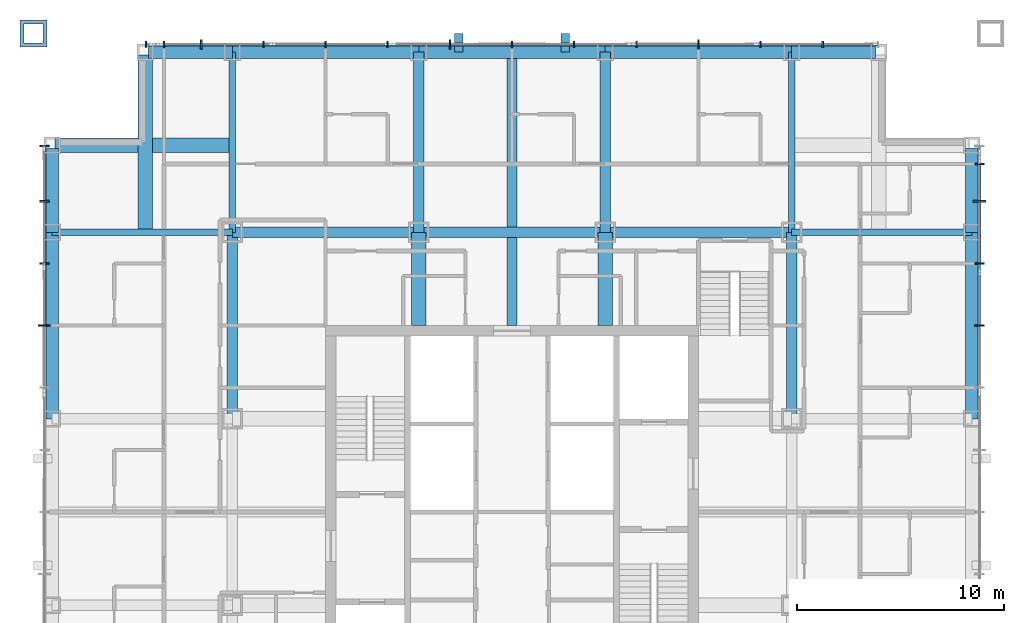
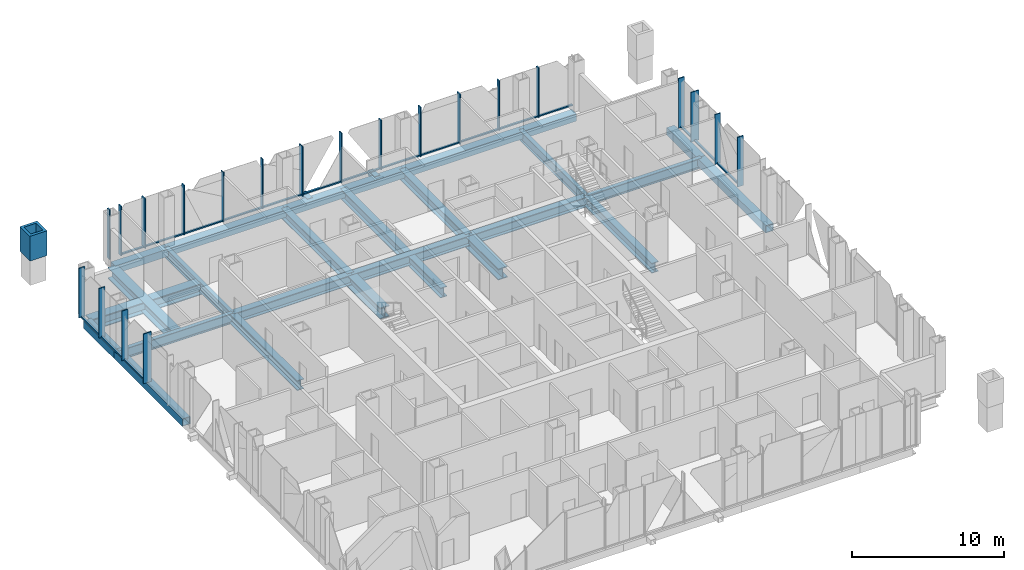
# One storey, part 4 of 25: 42 members, 25 beams, 3 elements without a shape of their own.
"""IFC4 building model written with IfcOpenShell, lengths in metres."""

from ifc_helpers import new_model, si_unit, direction, frame, origin, origin_2d, place, context, subcontext, project, spatial, rectangle, hollow_rectangle, i_section, extrude, material, layer, layer_set, material_profile, profile_set, type_object, element, aggregate, save


model = new_model("IFC4")

# Units and contexts
model_context = context("Model", 3, precision=1e-05, world=origin(), true_north=direction((0.0, 1.0)))
body_context = subcontext(model_context, "Body", "Model", "MODEL_VIEW")
ifc_project = project(units=[si_unit("LENGTHUNIT", "METRE"), si_unit("AREAUNIT", "SQUARE_METRE"), si_unit("VOLUMEUNIT", "CUBIC_METRE"), si_unit("PLANEANGLEUNIT", "RADIAN"), si_unit("MASSUNIT", "GRAM", prefix="KILO")], contexts=[model_context])

# Site, building, storey
site_placement = place(None, origin())
site = spatial("IfcSite", under=ifc_project, at=site_placement, CompositionType="ELEMENT")
building_placement = place(site_placement, origin())
building = spatial("IfcBuilding", under=site, at=building_placement, Name="Malebo Sky Hospital", CompositionType="ELEMENT")
storey_placement = place(building_placement, frame((0.0, 0.0, 241.0)))
storey = spatial("IfcBuildingStorey", under=building, at=storey_placement, Name="L58", CompositionType="ELEMENT", Elevation=241.0)

# Curtain wall, members
ifc_material_1 = material(Name="Anodised aluminium, natural silver", Category="aluminium")
ifc_layer_1 = layer(ifc_material_1, 0.25)
ifc_layer_set_1 = layer_set([ifc_layer_1], Name="WARD CURTAIN WALL NORTH AND SOUTH")
curtain_wall_type_1 = type_object("IfcCurtainWallType", Name="WARD CURTAIN WALL NORTH AND SOUTH", PredefinedType="NOTDEFINED", material=ifc_layer_set_1)
curtain_wall_1_placement = place(storey_placement, origin())
curtain_wall_1 = element("IfcCurtainWall", 1, at=curtain_wall_1_placement, inside=storey, type_object=curtain_wall_type_1, Name="NS curtain wall N", PredefinedType="NOTDEFINED")
ifc_material_profile_1 = material_profile(ifc_material_1, rectangle(XDim=0.14990234375, YDim=0.10009765625, at=origin_2d()), Name="ALUMINIUM TRANSOM 150x100")
ifc_profile_set_1 = profile_set([ifc_material_profile_1], Name="Anodised aluminium, natural silver")
member_type_1 = type_object("IfcMemberType", Name="ALUMINIUM TRANSOM 150x100", PredefinedType="USERDEFINED", material=ifc_profile_set_1)
member_1_placement = place(storey_placement, frame((43.237548828125, 84.574951171875, 0.050048828125), z_axis=(1.0, 0.0, 0.0), x_axis=(0.0, 1.0, 0.0)))
member_1 = element("IfcMember", 2, at=member_1_placement, type_object=member_type_1, Name="Transom 2", ObjectType="TRANSOM", PredefinedType="USERDEFINED", context=body_context, shape_type="SweptSolid", body=[
    extrude(rectangle(XDim=0.14990234375, YDim=0.10009765625, at=origin_2d()), origin(), (0.0, 0.0, 1.0), 1.724853515625),
])
member_2_placement = place(storey_placement, frame((45.03759765625, 84.574951171875, 0.050048828125), z_axis=(1.0, 0.0, 0.0), x_axis=(0.0, 1.0, 0.0)))
member_2 = element("IfcMember", 3, at=member_2_placement, type_object=member_type_1, Name="Transom 3", ObjectType="TRANSOM", PredefinedType="USERDEFINED", context=body_context, shape_type="SweptSolid", body=[
    extrude(rectangle(XDim=0.14990234375, YDim=0.10009765625, at=origin_2d()), origin(), (0.0, 0.0, 1.0), 2.9248046875),
])
member_3_placement = place(storey_placement, frame((48.03759765625, 84.574951171875, 0.050048828125), z_axis=(1.0, 0.0, 0.0), x_axis=(0.0, 1.0, 0.0)))
member_3 = element("IfcMember", 4, at=member_3_placement, type_object=member_type_1, Name="Transom 4", ObjectType="TRANSOM", PredefinedType="USERDEFINED", context=body_context, shape_type="SweptSolid", body=[
    extrude(rectangle(XDim=0.14990234375, YDim=0.10009765625, at=origin_2d()), origin(), (0.0, 0.0, 1.0), 2.9248046875),
])
member_4_placement = place(storey_placement, frame((51.03759765625, 84.574951171875, 0.050048828125), z_axis=(1.0, 0.0, 0.0), x_axis=(0.0, 1.0, 0.0)))
member_4 = element("IfcMember", 5, at=member_4_placement, type_object=member_type_1, Name="Transom 5", ObjectType="TRANSOM", PredefinedType="USERDEFINED", context=body_context, shape_type="SweptSolid", body=[
    extrude(rectangle(XDim=0.14990234375, YDim=0.10009765625, at=origin_2d()), origin(), (0.0, 0.0, 1.0), 2.9248046875),
])
member_5_placement = place(storey_placement, frame((54.03759765625, 84.574951171875, 0.050048828125), z_axis=(1.0, 0.0, 0.0), x_axis=(0.0, 1.0, 0.0)))
member_5 = element("IfcMember", 6, at=member_5_placement, type_object=member_type_1, Name="Transom 6", ObjectType="TRANSOM", PredefinedType="USERDEFINED", context=body_context, shape_type="SweptSolid", body=[
    extrude(rectangle(XDim=0.14990234375, YDim=0.10009765625, at=origin_2d()), origin(), (0.0, 0.0, 1.0), 2.9248046875),
])
member_6_placement = place(storey_placement, frame((57.03759765625, 84.574951171875, 0.050048828125), z_axis=(1.0, 0.0, 0.0), x_axis=(0.0, 1.0, 0.0)))
member_6 = element("IfcMember", 7, at=member_6_placement, type_object=member_type_1, Name="Transom 7", ObjectType="TRANSOM", PredefinedType="USERDEFINED", context=body_context, shape_type="SweptSolid", body=[
    extrude(rectangle(XDim=0.14990234375, YDim=0.10009765625, at=origin_2d()), origin(), (0.0, 0.0, 1.0), 2.9248046875),
])
member_7_placement = place(storey_placement, frame((60.03759765625, 84.574951171875, 0.050048828125), z_axis=(1.0, 0.0, 0.0), x_axis=(0.0, 1.0, 0.0)))
member_7 = element("IfcMember", 8, at=member_7_placement, type_object=member_type_1, Name="Transom 8", ObjectType="TRANSOM", PredefinedType="USERDEFINED", context=body_context, shape_type="SweptSolid", body=[
    extrude(rectangle(XDim=0.14990234375, YDim=0.10009765625, at=origin_2d()), origin(), (0.0, 0.0, 1.0), 2.9248046875),
])
member_8_placement = place(storey_placement, frame((63.03759765625, 84.574951171875, 0.050048828125), z_axis=(1.0, 0.0, 0.0), x_axis=(0.0, 1.0, 0.0)))
member_8 = element("IfcMember", 9, at=member_8_placement, type_object=member_type_1, Name="Transom 9", ObjectType="TRANSOM", PredefinedType="USERDEFINED", context=body_context, shape_type="SweptSolid", body=[
    extrude(rectangle(XDim=0.14990234375, YDim=0.10009765625, at=origin_2d()), origin(), (0.0, 0.0, 1.0), 2.9248046875),
])
member_9_placement = place(storey_placement, frame((66.03759765625, 84.574951171875, 0.050048828125), z_axis=(1.0, 0.0, 0.0), x_axis=(0.0, 1.0, 0.0)))
member_9 = element("IfcMember", 10, at=member_9_placement, type_object=member_type_1, Name="Transom 10", ObjectType="TRANSOM", PredefinedType="USERDEFINED", context=body_context, shape_type="SweptSolid", body=[
    extrude(rectangle(XDim=0.14990234375, YDim=0.10009765625, at=origin_2d()), origin(), (0.0, 0.0, 1.0), 2.9248046875),
])
member_10_placement = place(storey_placement, frame((69.03759765625, 84.574951171875, 0.050048828125), z_axis=(1.0, 0.0, 0.0), x_axis=(0.0, 1.0, 0.0)))
member_10 = element("IfcMember", 11, at=member_10_placement, type_object=member_type_1, Name="Transom 11", ObjectType="TRANSOM", PredefinedType="USERDEFINED", context=body_context, shape_type="SweptSolid", body=[
    extrude(rectangle(XDim=0.14990234375, YDim=0.10009765625, at=origin_2d()), origin(), (0.0, 0.0, 1.0), 2.9248046875),
])
member_11_placement = place(storey_placement, frame((72.03759765625, 84.574951171875, 0.050048828125), z_axis=(1.0, 0.0, 0.0), x_axis=(0.0, 1.0, 0.0)))
member_11 = element("IfcMember", 12, at=member_11_placement, type_object=member_type_1, Name="Transom 12", ObjectType="TRANSOM", PredefinedType="USERDEFINED", context=body_context, shape_type="SweptSolid", body=[
    extrude(rectangle(XDim=0.14990234375, YDim=0.10009765625, at=origin_2d()), origin(), (0.0, 0.0, 1.0), 2.9248046875),
])
member_12_placement = place(storey_placement, frame((75.03759765625, 84.574951171875, 0.050048828125), z_axis=(1.0, 0.0, 0.0), x_axis=(0.0, 1.0, 0.0)))
member_12 = element("IfcMember", 13, at=member_12_placement, type_object=member_type_1, Name="Transom 13", ObjectType="TRANSOM", PredefinedType="USERDEFINED", context=body_context, shape_type="SweptSolid", body=[
    extrude(rectangle(XDim=0.14990234375, YDim=0.10009765625, at=origin_2d()), origin(), (0.0, 0.0, 1.0), 2.58740234375),
])

ifc_layer_2 = layer(ifc_material_1, 0.25)
ifc_layer_set_2 = layer_set([ifc_layer_2], Name="WARD CURTAIN WALL EAST AND WEST")
curtain_wall_type_2 = type_object("IfcCurtainWallType", Name="WARD CURTAIN WALL EAST AND WEST", PredefinedType="NOTDEFINED", material=ifc_layer_set_2)
curtain_wall_2_placement = place(storey_placement, origin())
curtain_wall_2 = element("IfcCurtainWall", 14, at=curtain_wall_2_placement, inside=storey, type_object=curtain_wall_type_2, Name="EW curtain wall W", PredefinedType="NOTDEFINED")
member_13_placement = place(storey_placement, frame((37.425048828125, 71.03759765625, 0.050048828125), z_axis=(0.0, 1.0, 0.0), x_axis=(-1.0, 0.0, 0.0)))
member_13 = element("IfcMember", 15, at=member_13_placement, type_object=member_type_1, Name="Transom 11", ObjectType="TRANSOM", PredefinedType="USERDEFINED", context=body_context, shape_type="SweptSolid", body=[
    extrude(rectangle(XDim=0.14990234375, YDim=0.10009765625, at=origin_2d()), origin(), (0.0, 0.0, 1.0), 2.9248046875),
])
member_14_placement = place(storey_placement, frame((37.425048828125, 74.03759765625, 0.050048828125), z_axis=(0.0, 1.0, 0.0), x_axis=(-1.0, 0.0, 0.0)))
member_14 = element("IfcMember", 16, at=member_14_placement, type_object=member_type_1, Name="Transom 12", ObjectType="TRANSOM", PredefinedType="USERDEFINED", context=body_context, shape_type="SweptSolid", body=[
    extrude(rectangle(XDim=0.14990234375, YDim=0.10009765625, at=origin_2d()), origin(), (0.0, 0.0, 1.0), 2.9248046875),
])
member_15_placement = place(storey_placement, frame((37.425048828125, 77.03759765625, 0.050048828125), z_axis=(0.0, 1.0, 0.0), x_axis=(-1.0, 0.0, 0.0)))
member_15 = element("IfcMember", 17, at=member_15_placement, type_object=member_type_1, Name="Transom 13", ObjectType="TRANSOM", PredefinedType="USERDEFINED", context=body_context, shape_type="SweptSolid", body=[
    extrude(rectangle(XDim=0.14990234375, YDim=0.10009765625, at=origin_2d()), origin(), (0.0, 0.0, 1.0), 2.58740234375),
])

curtain_wall_3_placement = place(storey_placement, origin())
curtain_wall_3 = element("IfcCurtainWall", 18, at=curtain_wall_3_placement, inside=storey, type_object=curtain_wall_type_2, Name="EW curtain wall E", PredefinedType="NOTDEFINED")
member_16_placement = place(storey_placement, frame((82.574951171875, 78.762451171875, 0.050048828125), z_axis=(0.0, -1.0, 0.0), x_axis=(1.0, 0.0, 0.0)))
member_16 = element("IfcMember", 19, at=member_16_placement, type_object=member_type_1, Name="Transom 2", ObjectType="TRANSOM", PredefinedType="USERDEFINED", context=body_context, shape_type="SweptSolid", body=[
    extrude(rectangle(XDim=0.14990234375, YDim=0.10009765625, at=origin_2d()), origin(), (0.0, 0.0, 1.0), 1.724853515625),
])
member_17_placement = place(storey_placement, frame((82.574951171875, 76.96240234375, 0.050048828125), z_axis=(0.0, -1.0, 0.0), x_axis=(1.0, 0.0, 0.0)))
member_17 = element("IfcMember", 20, at=member_17_placement, type_object=member_type_1, Name="Transom 3", ObjectType="TRANSOM", PredefinedType="USERDEFINED", context=body_context, shape_type="SweptSolid", body=[
    extrude(rectangle(XDim=0.14990234375, YDim=0.10009765625, at=origin_2d()), origin(), (0.0, 0.0, 1.0), 2.9248046875),
])
member_18_placement = place(storey_placement, frame((82.574951171875, 73.96240234375, 0.050048828125), z_axis=(0.0, -1.0, 0.0), x_axis=(1.0, 0.0, 0.0)))
member_18 = element("IfcMember", 21, at=member_18_placement, type_object=member_type_1, Name="Transom 4", ObjectType="TRANSOM", PredefinedType="USERDEFINED", context=body_context, shape_type="SweptSolid", body=[
    extrude(rectangle(XDim=0.14990234375, YDim=0.10009765625, at=origin_2d()), origin(), (0.0, 0.0, 1.0), 2.9248046875),
])

# Members
ifc_material_2 = material(Name="Steel S355", Category="steel")
ifc_material_profile_2 = material_profile(ifc_material_2, hollow_rectangle(XDim=0.39990234375, YDim=0.39990234375, WallThickness=0.02001953125, at=origin_2d()), Name="SHS 400x20")
ifc_profile_set_2 = profile_set([ifc_material_profile_2], Name="Steel S355")
member_type_2 = type_object("IfcMemberType", Name="BRACE STRUT SHS 400x20", PredefinedType="STRUT", material=ifc_profile_set_2)
for number, where, z_axis, x_axis, name in (
    (22, (62.566650390625, 85.10009765625, -0.39990234375), (0.0, -1.0, 0.0), (1.0, 0.0, 0.0), "Brace strut CN1 L58"),
    (23, (57.433349609375, 85.10009765625, -0.39990234375), (0.0, -1.0, 0.0), (1.0, 0.0, 0.0), "Brace strut CN2 L58"),
):
    element("IfcMember", number, at=place(storey_placement, frame(where, z_axis=z_axis, x_axis=x_axis)), inside=storey, type_object=member_type_2, Name=name, PredefinedType="STRUT", context=body_context, shape_type="SweptSolid", body=[
        extrude(hollow_rectangle(XDim=0.39990234375, YDim=0.39990234375, WallThickness=0.02001953125, at=origin_2d()), origin(), (0.0, 0.0, 1.0), 0.900146484375),
    ])

# Member
ifc_material_profile_3 = material_profile(ifc_material_1, rectangle(XDim=0.074951171875, YDim=0.300048828125, at=origin_2d()), Name="CW1 ALUMINIUM FIN MULLION 75x300")
ifc_profile_set_3 = profile_set([ifc_material_profile_3], Name="Anodised aluminium, natural silver")
member_type_3 = type_object("IfcMemberType", Name="CW1 ALUMINIUM FIN MULLION 75x300", PredefinedType="MULLION", material=ifc_profile_set_3)
member_19_placement = place(storey_placement, frame((42.33740234375, 84.574951171875, 0.0), z_axis=(0.0, 0.0, 1.0), x_axis=(1.0, 0.0, 0.0)))
member_19 = element("IfcMember", 24, at=member_19_placement, type_object=member_type_3, Name="Fin mullion 1", PredefinedType="MULLION", context=body_context, shape_type="SweptSolid", body=[
    extrude(rectangle(XDim=0.074951171875, YDim=0.300048828125, at=origin_2d()), origin(), (0.0, 0.0, 1.0), 4.0),
])

member_20_placement = place(storey_placement, frame((43.199951171875, 84.574951171875, 0.0), z_axis=(0.0, 0.0, 1.0), x_axis=(1.0, 0.0, 0.0)))
member_20 = element("IfcMember", 25, at=member_20_placement, type_object=member_type_3, Name="Fin mullion 2", PredefinedType="MULLION", context=body_context, shape_type="SweptSolid", body=[
    extrude(rectangle(XDim=0.074951171875, YDim=0.300048828125, at=origin_2d()), origin(), (0.0, 0.0, 1.0), 4.0),
])

member_21_placement = place(storey_placement, frame((48.0, 84.574951171875, 0.0), z_axis=(0.0, 0.0, 1.0), x_axis=(1.0, 0.0, 0.0)))
member_21 = element("IfcMember", 26, at=member_21_placement, type_object=member_type_3, Name="Fin mullion 4", PredefinedType="MULLION", context=body_context, shape_type="SweptSolid", body=[
    extrude(rectangle(XDim=0.074951171875, YDim=0.300048828125, at=origin_2d()), origin(), (0.0, 0.0, 1.0), 4.0),
])

member_22_placement = place(storey_placement, frame((51.0, 84.574951171875, 0.0), z_axis=(0.0, 0.0, 1.0), x_axis=(1.0, 0.0, 0.0)))
member_22 = element("IfcMember", 27, at=member_22_placement, type_object=member_type_3, Name="Fin mullion 5", PredefinedType="MULLION", context=body_context, shape_type="SweptSolid", body=[
    extrude(rectangle(XDim=0.074951171875, YDim=0.300048828125, at=origin_2d()), origin(), (0.0, 0.0, 1.0), 4.0),
])

member_23_placement = place(storey_placement, frame((54.0, 84.574951171875, 0.0), z_axis=(0.0, 0.0, 1.0), x_axis=(1.0, 0.0, 0.0)))
member_23 = element("IfcMember", 28, at=member_23_placement, type_object=member_type_3, Name="Fin mullion 6", PredefinedType="MULLION", context=body_context, shape_type="SweptSolid", body=[
    extrude(rectangle(XDim=0.074951171875, YDim=0.300048828125, at=origin_2d()), origin(), (0.0, 0.0, 1.0), 4.0),
])

member_24_placement = place(storey_placement, frame((60.0, 84.574951171875, 0.0), z_axis=(0.0, 0.0, 1.0), x_axis=(1.0, 0.0, 0.0)))
member_24 = element("IfcMember", 29, at=member_24_placement, type_object=member_type_3, Name="Fin mullion 8", PredefinedType="MULLION", context=body_context, shape_type="SweptSolid", body=[
    extrude(rectangle(XDim=0.074951171875, YDim=0.300048828125, at=origin_2d()), origin(), (0.0, 0.0, 1.0), 4.0),
])

member_25_placement = place(storey_placement, frame((63.0, 84.574951171875, 0.0), z_axis=(0.0, 0.0, 1.0), x_axis=(1.0, 0.0, 0.0)))
member_25 = element("IfcMember", 30, at=member_25_placement, type_object=member_type_3, Name="Fin mullion 9", PredefinedType="MULLION", context=body_context, shape_type="SweptSolid", body=[
    extrude(rectangle(XDim=0.074951171875, YDim=0.300048828125, at=origin_2d()), origin(), (0.0, 0.0, 1.0), 4.0),
])

member_26_placement = place(storey_placement, frame((66.0, 84.574951171875, 0.0), z_axis=(0.0, 0.0, 1.0), x_axis=(1.0, 0.0, 0.0)))
member_26 = element("IfcMember", 31, at=member_26_placement, type_object=member_type_3, Name="Fin mullion 10", PredefinedType="MULLION", context=body_context, shape_type="SweptSolid", body=[
    extrude(rectangle(XDim=0.074951171875, YDim=0.300048828125, at=origin_2d()), origin(), (0.0, 0.0, 1.0), 4.0),
])

member_27_placement = place(storey_placement, frame((72.0, 84.574951171875, 0.0), z_axis=(0.0, 0.0, 1.0), x_axis=(1.0, 0.0, 0.0)))
member_27 = element("IfcMember", 32, at=member_27_placement, type_object=member_type_3, Name="Fin mullion 12", PredefinedType="MULLION", context=body_context, shape_type="SweptSolid", body=[
    extrude(rectangle(XDim=0.074951171875, YDim=0.300048828125, at=origin_2d()), origin(), (0.0, 0.0, 1.0), 4.0),
])

member_28_placement = place(storey_placement, frame((75.0, 84.574951171875, 0.0), z_axis=(0.0, 0.0, 1.0), x_axis=(1.0, 0.0, 0.0)))
member_28 = element("IfcMember", 33, at=member_28_placement, type_object=member_type_3, Name="Fin mullion 13", PredefinedType="MULLION", context=body_context, shape_type="SweptSolid", body=[
    extrude(rectangle(XDim=0.074951171875, YDim=0.300048828125, at=origin_2d()), origin(), (0.0, 0.0, 1.0), 4.0),
])

ifc_material_profile_4 = material_profile(ifc_material_1, rectangle(XDim=0.074951171875, YDim=0.449951171875, at=origin_2d()), Name="CW1 ALUMINIUM FIN MULLION 75x450")
ifc_profile_set_4 = profile_set([ifc_material_profile_4], Name="Anodised aluminium, natural silver")
member_type_4 = type_object("IfcMemberType", Name="CW1 ALUMINIUM FIN MULLION 75x450", PredefinedType="MULLION", material=ifc_profile_set_4)
member_29_placement = place(storey_placement, frame((45.0, 84.574951171875, 0.0), z_axis=(0.0, 0.0, 1.0), x_axis=(1.0, 0.0, 0.0)))
member_29 = element("IfcMember", 34, at=member_29_placement, type_object=member_type_4, Name="Fin mullion 3", PredefinedType="MULLION", context=body_context, shape_type="SweptSolid", body=[
    extrude(rectangle(XDim=0.074951171875, YDim=0.449951171875, at=origin_2d()), origin(), (0.0, 0.0, 1.0), 4.0),
])

member_30_placement = place(storey_placement, frame((57.0, 84.574951171875, 0.0), z_axis=(0.0, 0.0, 1.0), x_axis=(1.0, 0.0, 0.0)))
member_30 = element("IfcMember", 35, at=member_30_placement, type_object=member_type_4, Name="Fin mullion 7", PredefinedType="MULLION", context=body_context, shape_type="SweptSolid", body=[
    extrude(rectangle(XDim=0.074951171875, YDim=0.449951171875, at=origin_2d()), origin(), (0.0, 0.0, 1.0), 4.0),
])

member_31_placement = place(storey_placement, frame((69.0, 84.574951171875, 0.0), z_axis=(0.0, 0.0, 1.0), x_axis=(1.0, 0.0, 0.0)))
member_31 = element("IfcMember", 36, at=member_31_placement, type_object=member_type_4, Name="Fin mullion 11", PredefinedType="MULLION", context=body_context, shape_type="SweptSolid", body=[
    extrude(rectangle(XDim=0.074951171875, YDim=0.449951171875, at=origin_2d()), origin(), (0.0, 0.0, 1.0), 4.0),
])

aggregate(curtain_wall_1, [member_19, member_20, member_29, member_21, member_22, member_23, member_30, member_24, member_25, member_26, member_31, member_27, member_28, member_1, member_2, member_3, member_4, member_5, member_6, member_7, member_8, member_9, member_10, member_11, member_12])

ifc_material_profile_5 = material_profile(ifc_material_1, rectangle(XDim=0.074951171875, YDim=0.449951171875, at=origin_2d()), Name="CW2 ALUMINIUM FIN MULLION 75x450")
ifc_profile_set_5 = profile_set([ifc_material_profile_5], Name="Anodised aluminium, natural silver")
member_type_5 = type_object("IfcMemberType", Name="CW2 ALUMINIUM FIN MULLION 75x450", PredefinedType="MULLION", material=ifc_profile_set_5)
member_32_placement = place(storey_placement, frame((37.425048828125, 74.0, 0.0), z_axis=(0.0, 0.0, 1.0), x_axis=(0.0, 1.0, 0.0)))
member_32 = element("IfcMember", 37, at=member_32_placement, type_object=member_type_5, Name="Fin mullion 12", PredefinedType="MULLION", context=body_context, shape_type="SweptSolid", body=[
    extrude(rectangle(XDim=0.074951171875, YDim=0.449951171875, at=origin_2d()), origin(), (0.0, 0.0, 1.0), 4.0),
])

member_33_placement = place(storey_placement, frame((37.425048828125, 77.0, 0.0), z_axis=(0.0, 0.0, 1.0), x_axis=(0.0, 1.0, 0.0)))
member_33 = element("IfcMember", 38, at=member_33_placement, type_object=member_type_5, Name="Fin mullion 13", PredefinedType="MULLION", context=body_context, shape_type="SweptSolid", body=[
    extrude(rectangle(XDim=0.074951171875, YDim=0.449951171875, at=origin_2d()), origin(), (0.0, 0.0, 1.0), 4.0),
])

member_34_placement = place(storey_placement, frame((37.425048828125, 79.66259765625, 0.0), z_axis=(0.0, 0.0, 1.0), x_axis=(0.0, 1.0, 0.0)))
member_34 = element("IfcMember", 39, at=member_34_placement, type_object=member_type_5, Name="Fin mullion 14", PredefinedType="MULLION", context=body_context, shape_type="SweptSolid", body=[
    extrude(rectangle(XDim=0.074951171875, YDim=0.449951171875, at=origin_2d()), origin(), (0.0, 0.0, 1.0), 4.0),
])

member_35_placement = place(storey_placement, frame((82.574951171875, 78.800048828125, 0.0), z_axis=(0.0, 0.0, 1.0), x_axis=(0.0, -1.0, 0.0)))
member_35 = element("IfcMember", 40, at=member_35_placement, type_object=member_type_5, Name="Fin mullion 2", PredefinedType="MULLION", context=body_context, shape_type="SweptSolid", body=[
    extrude(rectangle(XDim=0.074951171875, YDim=0.449951171875, at=origin_2d()), origin(), (0.0, 0.0, 1.0), 4.0),
])

member_36_placement = place(storey_placement, frame((82.574951171875, 74.0, 0.0), z_axis=(0.0, 0.0, 1.0), x_axis=(0.0, -1.0, 0.0)))
member_36 = element("IfcMember", 41, at=member_36_placement, type_object=member_type_5, Name="Fin mullion 4", PredefinedType="MULLION", context=body_context, shape_type="SweptSolid", body=[
    extrude(rectangle(XDim=0.074951171875, YDim=0.449951171875, at=origin_2d()), origin(), (0.0, 0.0, 1.0), 4.0),
])

member_37_placement = place(storey_placement, frame((82.574951171875, 71.0, 0.0), z_axis=(0.0, 0.0, 1.0), x_axis=(0.0, -1.0, 0.0)))
member_37 = element("IfcMember", 42, at=member_37_placement, type_object=member_type_5, Name="Fin mullion 5", PredefinedType="MULLION", context=body_context, shape_type="SweptSolid", body=[
    extrude(rectangle(XDim=0.074951171875, YDim=0.449951171875, at=origin_2d()), origin(), (0.0, 0.0, 1.0), 4.0),
])

ifc_material_profile_6 = material_profile(ifc_material_1, rectangle(XDim=0.074951171875, YDim=0.60009765625, at=origin_2d()), Name="CW2 ALUMINIUM FIN MULLION 75x600")
ifc_profile_set_6 = profile_set([ifc_material_profile_6], Name="Anodised aluminium, natural silver")
member_type_6 = type_object("IfcMemberType", Name="CW2 ALUMINIUM FIN MULLION 75x600", PredefinedType="MULLION", material=ifc_profile_set_6)
member_38_placement = place(storey_placement, frame((37.425048828125, 71.0, 0.0), z_axis=(0.0, 0.0, 1.0), x_axis=(0.0, 1.0, 0.0)))
member_38 = element("IfcMember", 43, at=member_38_placement, type_object=member_type_6, Name="Fin mullion 11", PredefinedType="MULLION", context=body_context, shape_type="SweptSolid", body=[
    extrude(rectangle(XDim=0.074951171875, YDim=0.60009765625, at=origin_2d()), origin(), (0.0, 0.0, 1.0), 4.0),
])

aggregate(curtain_wall_2, [member_38, member_32, member_33, member_34, member_13, member_14, member_15])

member_39_placement = place(storey_placement, frame((82.574951171875, 77.0, 0.0), z_axis=(0.0, 0.0, 1.0), x_axis=(0.0, -1.0, 0.0)))
member_39 = element("IfcMember", 44, at=member_39_placement, type_object=member_type_6, Name="Fin mullion 3", PredefinedType="MULLION", context=body_context, shape_type="SweptSolid", body=[
    extrude(rectangle(XDim=0.074951171875, YDim=0.60009765625, at=origin_2d()), origin(), (0.0, 0.0, 1.0), 4.0),
])

aggregate(curtain_wall_3, [member_35, member_39, member_36, member_37, member_16, member_17, member_18])

# Beams
ifc_material_3 = material(Name="Steel S460", Category="steel")
ifc_material_profile_7 = material_profile(ifc_material_3, hollow_rectangle(XDim=0.60009765625, YDim=0.60009765625, WallThickness=0.0400390625, at=origin_2d()), Name="BOX 600x600x40")
ifc_profile_set_7 = profile_set([ifc_material_profile_7], Name="Steel S460")
beam_type_1 = type_object("IfcBeamType", Name="EDGE BEAM BOX 600x600x40", PredefinedType="BEAM", material=ifc_profile_set_7)
beam_1_placement = place(storey_placement, frame((37.800048828125, 66.5, -0.550048828125), z_axis=(0.0, 1.0, 0.0), x_axis=(-1.0, 0.0, 0.0)))
element("IfcBeam", 45, at=beam_1_placement, inside=storey, type_object=beam_type_1, Name="Beam 003 L58", PredefinedType="BEAM", context=body_context, shape_type="SweptSolid", body=[
    extrude(hollow_rectangle(XDim=0.60009765625, YDim=0.60009765625, WallThickness=0.0400390625, at=origin_2d()), origin(), (0.0, 0.0, 1.0), 9.0),
])
beam_2_placement = place(storey_placement, frame((37.800048828125, 75.5, -0.550048828125), z_axis=(0.0, 1.0, 0.0), x_axis=(-1.0, 0.0, 0.0)))
element("IfcBeam", 46, at=beam_2_placement, inside=storey, type_object=beam_type_1, Name="Beam 004 L58", PredefinedType="BEAM", context=body_context, shape_type="SweptSolid", body=[
    extrude(hollow_rectangle(XDim=0.60009765625, YDim=0.60009765625, WallThickness=0.0400390625, at=origin_2d()), origin(), (0.0, 0.0, 1.0), 4.050048828125),
])
beam_3_placement = place(storey_placement, frame((82.199951171875, 66.5, -0.550048828125), z_axis=(0.0, 1.0, 0.0), x_axis=(-1.0, 0.0, 0.0)))
element("IfcBeam", 47, at=beam_3_placement, inside=storey, type_object=beam_type_1, Name="Beam 032 L58", PredefinedType="BEAM", context=body_context, shape_type="SweptSolid", body=[
    extrude(hollow_rectangle(XDim=0.60009765625, YDim=0.60009765625, WallThickness=0.0400390625, at=origin_2d()), origin(), (0.0, 0.0, 1.0), 9.0),
])
for number, where, z_axis, x_axis, name in (
    (48, (82.199951171875, 75.5, -0.550048828125), (0.0, 1.0, 0.0), (-1.0, 0.0, 0.0), "Beam 033 L58"),
    (49, (42.449951171875, 84.199951171875, -0.550048828125), (1.0, 0.0, 0.0), (0.0, 1.0, 0.0), "Beam 063 L58"),
):
    element("IfcBeam", number, at=place(storey_placement, frame(where, z_axis=z_axis, x_axis=x_axis)), inside=storey, type_object=beam_type_1, Name=name, PredefinedType="BEAM", context=body_context, shape_type="SweptSolid", body=[
        extrude(hollow_rectangle(XDim=0.60009765625, YDim=0.60009765625, WallThickness=0.0400390625, at=origin_2d()), origin(), (0.0, 0.0, 1.0), 4.050048828125),
    ])
for number, where, z_axis, x_axis, name in (
    (50, (46.5, 84.199951171875, -0.550048828125), (1.0, 0.0, 0.0), (0.0, 1.0, 0.0), "Beam 064 L58"),
    (51, (55.5, 84.199951171875, -0.550048828125), (1.0, 0.0, 0.0), (0.0, 1.0, 0.0), "Beam 065 L58"),
    (52, (64.5, 84.199951171875, -0.550048828125), (1.0, 0.0, 0.0), (0.0, 1.0, 0.0), "Beam 066 L58"),
):
    element("IfcBeam", number, at=place(storey_placement, frame(where, z_axis=z_axis, x_axis=x_axis)), inside=storey, type_object=beam_type_1, Name=name, PredefinedType="BEAM", context=body_context, shape_type="SweptSolid", body=[
        extrude(hollow_rectangle(XDim=0.60009765625, YDim=0.60009765625, WallThickness=0.0400390625, at=origin_2d()), origin(), (0.0, 0.0, 1.0), 9.0),
    ])
beam_4_placement = place(storey_placement, frame((73.5, 84.199951171875, -0.550048828125), z_axis=(1.0, 0.0, 0.0), x_axis=(0.0, 1.0, 0.0)))
element("IfcBeam", 53, at=beam_4_placement, inside=storey, type_object=beam_type_1, Name="Beam 067 L58", PredefinedType="BEAM", context=body_context, shape_type="SweptSolid", body=[
    extrude(hollow_rectangle(XDim=0.60009765625, YDim=0.60009765625, WallThickness=0.0400390625, at=origin_2d()), origin(), (0.0, 0.0, 1.0), 4.050048828125),
])
ifc_material_profile_8 = material_profile(ifc_material_2, i_section(OverallWidth=0.5, OverallDepth=0.800048828125, WebThickness=0.030029296875, FlangeThickness=0.050048828125, at=origin_2d()), Name="PG 800x500x30x50")
ifc_profile_set_8 = profile_set([ifc_material_profile_8], Name="Steel S355")
beam_type_2 = type_object("IfcBeamType", Name="FLOOR BEAM PG 800x500x30x50", PredefinedType="BEAM", material=ifc_profile_set_8)
beam_5_placement = place(storey_placement, frame((46.5, 66.5, -0.64990234375), z_axis=(0.0, 1.0, 0.0), x_axis=(-1.0, 0.0, 0.0)))
element("IfcBeam", 54, at=beam_5_placement, inside=storey, type_object=beam_type_2, Name="Beam 010 L58", PredefinedType="BEAM", context=body_context, shape_type="SweptSolid", body=[
    extrude(i_section(OverallWidth=0.5, OverallDepth=0.800048828125, WebThickness=0.030029296875, FlangeThickness=0.050048828125, at=origin_2d()), origin(), (0.0, 0.0, 1.0), 9.0),
])
beam_6_placement = place(storey_placement, frame((55.5, 75.5, -0.64990234375), z_axis=(0.0, 1.0, 0.0), x_axis=(-1.0, 0.0, 0.0)))
element("IfcBeam", 55, at=beam_6_placement, inside=storey, type_object=beam_type_2, Name="Beam 015 L58", PredefinedType="BEAM", context=body_context, shape_type="SweptSolid", body=[
    extrude(i_section(OverallWidth=0.5, OverallDepth=0.800048828125, WebThickness=0.030029296875, FlangeThickness=0.050048828125, at=origin_2d()), origin(), (0.0, 0.0, 1.0), 8.699951171875),
])
beam_7_placement = place(storey_placement, frame((60.0, 71.0, -0.64990234375), z_axis=(0.0, 1.0, 0.0), x_axis=(-1.0, 0.0, 0.0)))
element("IfcBeam", 56, at=beam_7_placement, inside=storey, type_object=beam_type_2, Name="Beam 017 L58", PredefinedType="BEAM", context=body_context, shape_type="SweptSolid", body=[
    extrude(i_section(OverallWidth=0.5, OverallDepth=0.800048828125, WebThickness=0.030029296875, FlangeThickness=0.050048828125, at=origin_2d()), origin(), (0.0, 0.0, 1.0), 13.199951171875),
])
beam_8_placement = place(storey_placement, frame((64.5, 75.5, -0.64990234375), z_axis=(0.0, 1.0, 0.0), x_axis=(-1.0, 0.0, 0.0)))
element("IfcBeam", 57, at=beam_8_placement, inside=storey, type_object=beam_type_2, Name="Beam 021 L58", PredefinedType="BEAM", context=body_context, shape_type="SweptSolid", body=[
    extrude(i_section(OverallWidth=0.5, OverallDepth=0.800048828125, WebThickness=0.030029296875, FlangeThickness=0.050048828125, at=origin_2d()), origin(), (0.0, 0.0, 1.0), 8.699951171875),
])
for number, where, z_axis, x_axis, name in (
    (58, (73.5, 66.5, -0.64990234375), (0.0, 1.0, 0.0), (-1.0, 0.0, 0.0), "Beam 025 L58"),
    (59, (46.5, 75.5, -0.64990234375), (1.0, 0.0, 0.0), (0.0, 1.0, 0.0), "Beam 057 L58"),
    (60, (64.5, 75.5, -0.64990234375), (1.0, 0.0, 0.0), (0.0, 1.0, 0.0), "Beam 059 L58"),
):
    element("IfcBeam", number, at=place(storey_placement, frame(where, z_axis=z_axis, x_axis=x_axis)), inside=storey, type_object=beam_type_2, Name=name, PredefinedType="BEAM", context=body_context, shape_type="SweptSolid", body=[
        extrude(i_section(OverallWidth=0.5, OverallDepth=0.800048828125, WebThickness=0.030029296875, FlangeThickness=0.050048828125, at=origin_2d()), origin(), (0.0, 0.0, 1.0), 9.0),
    ])
ifc_material_profile_9 = material_profile(ifc_material_2, i_section(OverallWidth=0.699951171875, OverallDepth=0.89990234375, WebThickness=0.0400390625, FlangeThickness=0.070068359375, at=origin_2d()), Name="PG 900x700x40x70")
ifc_profile_set_9 = profile_set([ifc_material_profile_9], Name="Steel S355")
beam_type_3 = type_object("IfcBeamType", Name="FLOOR BEAM PG 900x700x40x70", PredefinedType="BEAM", material=ifc_profile_set_9)
beam_9_placement = place(storey_placement, frame((42.300048828125, 75.5, -0.699951171875), z_axis=(0.0, 1.0, 0.0), x_axis=(-1.0, 0.0, 0.0)))
element("IfcBeam", 61, at=beam_9_placement, inside=storey, type_object=beam_type_3, Name="Beam 006 L58", PredefinedType="BEAM", context=body_context, shape_type="SweptSolid", body=[
    extrude(i_section(OverallWidth=0.699951171875, OverallDepth=0.89990234375, WebThickness=0.0400390625, FlangeThickness=0.070068359375, at=origin_2d()), origin(), (0.0, 0.0, 1.0), 8.550048828125),
])
for number, where, z_axis, x_axis, name in (
    (62, (55.5, 71.0, -0.699951171875), (0.0, 1.0, 0.0), (-1.0, 0.0, 0.0), "Beam 014 L58"),
    (63, (64.5, 71.0, -0.699951171875), (0.0, 1.0, 0.0), (-1.0, 0.0, 0.0), "Beam 020 L58"),
):
    element("IfcBeam", number, at=place(storey_placement, frame(where, z_axis=z_axis, x_axis=x_axis)), inside=storey, type_object=beam_type_3, Name=name, PredefinedType="BEAM", context=body_context, shape_type="SweptSolid", body=[
        extrude(i_section(OverallWidth=0.699951171875, OverallDepth=0.89990234375, WebThickness=0.0400390625, FlangeThickness=0.070068359375, at=origin_2d()), origin(), (0.0, 0.0, 1.0), 4.5),
    ])
beam_10_placement = place(storey_placement, frame((37.949951171875, 79.699951171875, -0.699951171875), z_axis=(1.0, 0.0, 0.0), x_axis=(0.0, 1.0, 0.0)))
element("IfcBeam", 64, at=beam_10_placement, inside=storey, type_object=beam_type_3, Name="Beam 061 L58", PredefinedType="BEAM", context=body_context, shape_type="SweptSolid", body=[
    extrude(i_section(OverallWidth=0.699951171875, OverallDepth=0.89990234375, WebThickness=0.0400390625, FlangeThickness=0.070068359375, at=origin_2d()), origin(), (0.0, 0.0, 1.0), 8.550048828125),
])
ifc_material_profile_10 = material_profile(ifc_material_2, i_section(OverallWidth=0.300048828125, OverallDepth=0.800048828125, WebThickness=0.017578125, FlangeThickness=0.032958984375, FilletRadius=0.030029296875, at=origin_2d()), Name="HEB 800")
ifc_profile_set_10 = profile_set([ifc_material_profile_10], Name="Steel S355")
beam_type_4 = type_object("IfcBeamType", Name="FLOOR GIRDER HEB 800", PredefinedType="BEAM", material=ifc_profile_set_10)
for number, where, z_axis, x_axis, name in (
    (65, (46.5, 75.5, -0.64990234375), (0.0, 1.0, 0.0), (-1.0, 0.0, 0.0), "Beam 011 L58"),
    (66, (73.5, 75.5, -0.64990234375), (0.0, 1.0, 0.0), (-1.0, 0.0, 0.0), "Beam 026 L58"),
    (67, (37.800048828125, 75.5, -0.64990234375), (1.0, 0.0, 0.0), (0.0, 1.0, 0.0), "Beam 056 L58"),
    (68, (73.5, 75.5, -0.64990234375), (1.0, 0.0, 0.0), (0.0, 1.0, 0.0), "Beam 060 L58"),
):
    element("IfcBeam", number, at=place(storey_placement, frame(where, z_axis=z_axis, x_axis=x_axis)), inside=storey, type_object=beam_type_4, Name=name, PredefinedType="BEAM", context=body_context, shape_type="SweptSolid", body=[
        extrude(i_section(OverallWidth=0.300048828125, OverallDepth=0.800048828125, WebThickness=0.017578125, FlangeThickness=0.032958984375, FilletRadius=0.030029296875, at=origin_2d()), origin(), (0.0, 0.0, 1.0), 8.699951171875),
    ])

# Member
ifc_material_profile_11 = material_profile(ifc_material_3, hollow_rectangle(XDim=1.300048828125, YDim=1.300048828125, WallThickness=0.199951171875, at=origin_2d()), Name="BOX 1300x1300x200")
ifc_profile_set_11 = profile_set([ifc_material_profile_11], Name="Steel S460")
member_type_7 = type_object("IfcMemberType", Name="MEGA COLUMN NODE BOX 1300x1300x200", PredefinedType="MEMBER", material=ifc_profile_set_11)
member_40_placement = place(storey_placement, frame((36.89990234375, 85.10009765625, 2.0), z_axis=(0.0, 0.0, 1.0), x_axis=(1.0, 0.0, 0.0)))
element("IfcMember", 69, at=member_40_placement, inside=storey, type_object=member_type_7, Name="Mega column node NW L58", PredefinedType="MEMBER", context=body_context, shape_type="SweptSolid", body=[
    extrude(hollow_rectangle(XDim=1.300048828125, YDim=1.300048828125, WallThickness=0.199951171875, at=origin_2d()), origin(), (0.0, 0.0, 1.0), 2.0),
])

# Beam
ifc_material_profile_12 = material_profile(ifc_material_2, i_section(OverallWidth=0.5, OverallDepth=0.800048828125, WebThickness=0.030029296875, FlangeThickness=0.050048828125, at=origin_2d()), Name="PG 800x500x30x50")
ifc_profile_set_12 = profile_set([ifc_material_profile_12], Name="Steel S355")
beam_type_5 = type_object("IfcBeamType", Name="RING GIRDER PG 800x500x30x50", PredefinedType="BEAM", material=ifc_profile_set_12)
beam_11_placement = place(storey_placement, frame((55.5, 75.5, -0.64990234375), z_axis=(1.0, 0.0, 0.0), x_axis=(0.0, 1.0, 0.0)))
element("IfcBeam", 70, at=beam_11_placement, inside=storey, type_object=beam_type_5, Name="Beam 058 L58", PredefinedType="BEAM", context=body_context, shape_type="SweptSolid", body=[
    extrude(i_section(OverallWidth=0.5, OverallDepth=0.800048828125, WebThickness=0.030029296875, FlangeThickness=0.050048828125, at=origin_2d()), origin(), (0.0, 0.0, 1.0), 9.0),
])

save(model, "model.ifc")
